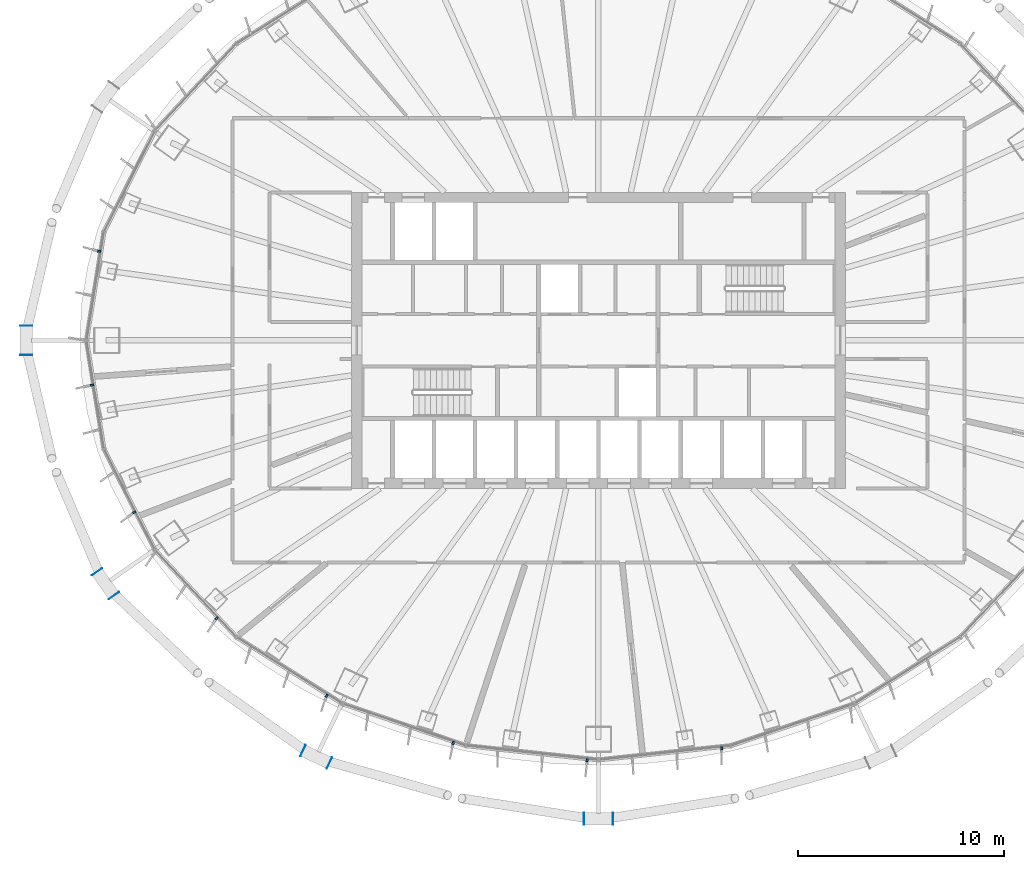
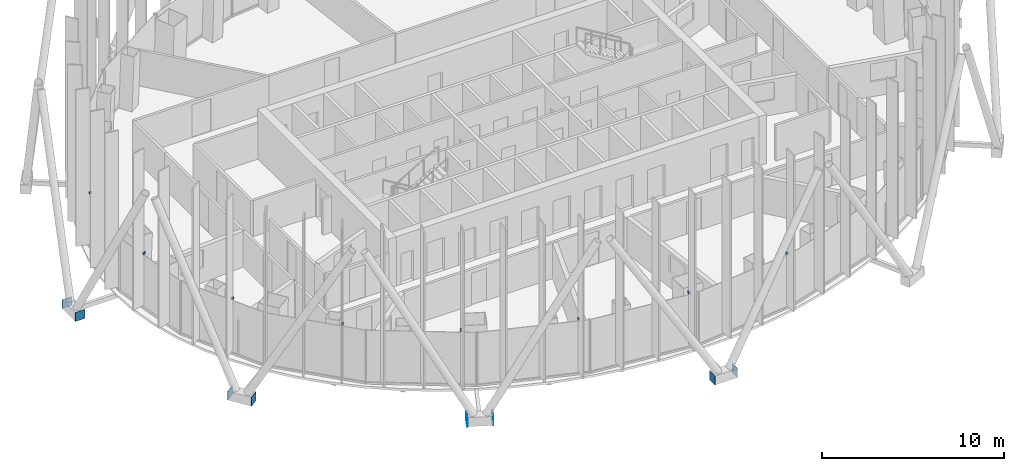
# One storey, part 12 of 19: 16 discrete accessories.
"""IFC4 building model written with IfcOpenShell, lengths in metres."""

from ifc_helpers import new_model, si_unit, direction, frame, origin, origin_2d, place, context, subcontext, project, spatial, rectangle, extrude, material, layer, layer_set, type_object, element, save


model = new_model("IFC4")

# Units and contexts
model_context = context("Model", 3, precision=1e-05, world=origin(), true_north=direction((0.0, 1.0)))
body_context = subcontext(model_context, "Body", "Model", "MODEL_VIEW")
ifc_project = project(units=[si_unit("LENGTHUNIT", "METRE"), si_unit("AREAUNIT", "SQUARE_METRE"), si_unit("VOLUMEUNIT", "CUBIC_METRE"), si_unit("PLANEANGLEUNIT", "RADIAN"), si_unit("MASSUNIT", "GRAM", prefix="KILO")], contexts=[model_context])

# Site, building, storey
site_placement = place(None, origin())
site = spatial("IfcSite", under=ifc_project, at=site_placement, CompositionType="ELEMENT")
building_placement = place(site_placement, origin())
building = spatial("IfcBuilding", under=site, at=building_placement, Name="Siaravel Broadcast Tower", CompositionType="ELEMENT")
storey_placement = place(building_placement, frame((0.0, 0.0, 130.39990234375)))
storey = spatial("IfcBuildingStorey", under=building, at=storey_placement, Name="L31", CompositionType="ELEMENT", Elevation=130.39990234375)

# Discrete accessories
ifc_material_1 = material(Name="Stainless steel 316", Category="steel")
discrete_accessory_type_1 = type_object("IfcDiscreteAccessoryType", Name="Stainless steel fin bracket", PredefinedType="USERDEFINED", material=ifc_material_1)
for number, where, z_axis, x_axis, name in (
    (1, (-24.271484375, 4.33251953125, 3.68505859375), (0.0, 0.0, 1.0), (-0.987329198, 0.158685394, 0.0), "Fin bracket L31-31"),
    (2, (-24.61865234375, -2.172607421875, 3.68505859375), (0.0, 0.0, 1.0), (-0.987329198, -0.158685394, 0.0), "Fin bracket L31-34"),
    (3, (-22.574462890625, -8.35302734375, 3.68505859375), (0.0, 0.0, 1.0), (-0.892392939, -0.451259174, 0.0), "Fin bracket L31-37"),
    (4, (-18.565185546875, -13.504638671875, 3.68505859375), (0.0, 0.0, 1.0), (-0.729806802, -0.683653445, 0.0), "Fin bracket L31-40"),
    (5, (-13.21044921875, -17.27392578125, 3.68505859375), (0.0, 0.0, 1.0), (-0.53215093, -0.846649507, 0.0), "Fin bracket L31-43"),
    (6, (-7.064697265625, -19.572021484375, 3.68505859375), (0.0, 0.0, 1.0), (-0.321302287, -0.946976684, 0.0), "Fin bracket L31-46"),
    (7, (-0.55224609375, -20.415283203125, 3.68505859375), (0.0, 0.0, 1.0), (-0.107218518, -0.99423548, 0.0), "Fin bracket L31-49"),
    (8, (5.989990234375, -19.828857421875, 3.68505859375), (0.0, 0.0, 1.0), (0.107218518, -0.99423548, 0.0), "Fin bracket L31-52"),
):
    element("IfcDiscreteAccessory", number, at=place(storey_placement, frame(where, z_axis=z_axis, x_axis=x_axis)), inside=storey, type_object=discrete_accessory_type_1, Name=name, ObjectType="BRACKET", PredefinedType="USERDEFINED", context=body_context, shape_type="SweptSolid", body=[
        extrude(rectangle(XDim=0.159912109375, YDim=0.10009765625, at=origin_2d()), origin(), (0.0, 0.0, 1.0), 0.139892578125),
    ])
ifc_material_2 = material(Name="Steel S355", Category="steel")
ifc_layer = layer(ifc_material_2, 0.02001953125)
ifc_layer_set = layer_set([ifc_layer], Name="Steel S355")
discrete_accessory_type_2 = type_object("IfcDiscreteAccessoryType", Name="Steel end plate 20 mm", PredefinedType="USERDEFINED", material=ifc_layer_set)
for number, where, z_axis, x_axis, name in (
    (9, (-27.821044921875, -0.7099609375, -0.5), (0.0, 0.0, 1.0), (0.0, -1.0, 0.0), "End plate R13 station 36A"),
    (10, (-27.821044921875, 0.7099609375, -0.5), (0.0, 0.0, 1.0), (0.0, -1.0, 0.0), "End plate R13 station 36B"),
    (11, (-23.558349609375, -12.40771484375, -0.5), (0.0, 0.0, 1.0), (0.576119939, -0.817365167, 0.0), "End plate R13 station 42A"),
    (12, (-24.376220703125, -11.247314453125, -0.5), (0.0, 0.0, 1.0), (0.576119939, -0.817365167, 0.0), "End plate R13 station 42B"),
    (13, (-13.080322265625, -20.545166015625, -0.5), (0.0, 0.0, 1.0), (0.904007202, -0.427517227, 0.0), "End plate R13 station 48A"),
    (14, (-14.36376953125, -19.93798828125, -0.5), (0.0, 0.0, 1.0), (0.904007202, -0.427517227, 0.0), "End plate R13 station 48B"),
    (15, (0.7099609375, -23.2587890625, -0.5), (0.0, 0.0, 1.0), (1.0, 0.0, 0.0), "End plate R13 station 54A"),
    (16, (-0.7099609375, -23.2587890625, -0.5), (0.0, 0.0, 1.0), (1.0, 0.0, 0.0), "End plate R13 station 54B"),
):
    element("IfcDiscreteAccessory", number, at=place(storey_placement, frame(where, z_axis=z_axis, x_axis=x_axis)), inside=storey, type_object=discrete_accessory_type_2, Name=name, ObjectType="END PLATE", PredefinedType="USERDEFINED", context=body_context, shape_type="SweptSolid", body=[
        extrude(rectangle(XDim=0.02001953125, YDim=0.60009765625, at=origin_2d()), origin(), (0.0, 0.0, 1.0), 0.60009765625),
    ])

save(model, "model.ifc")
